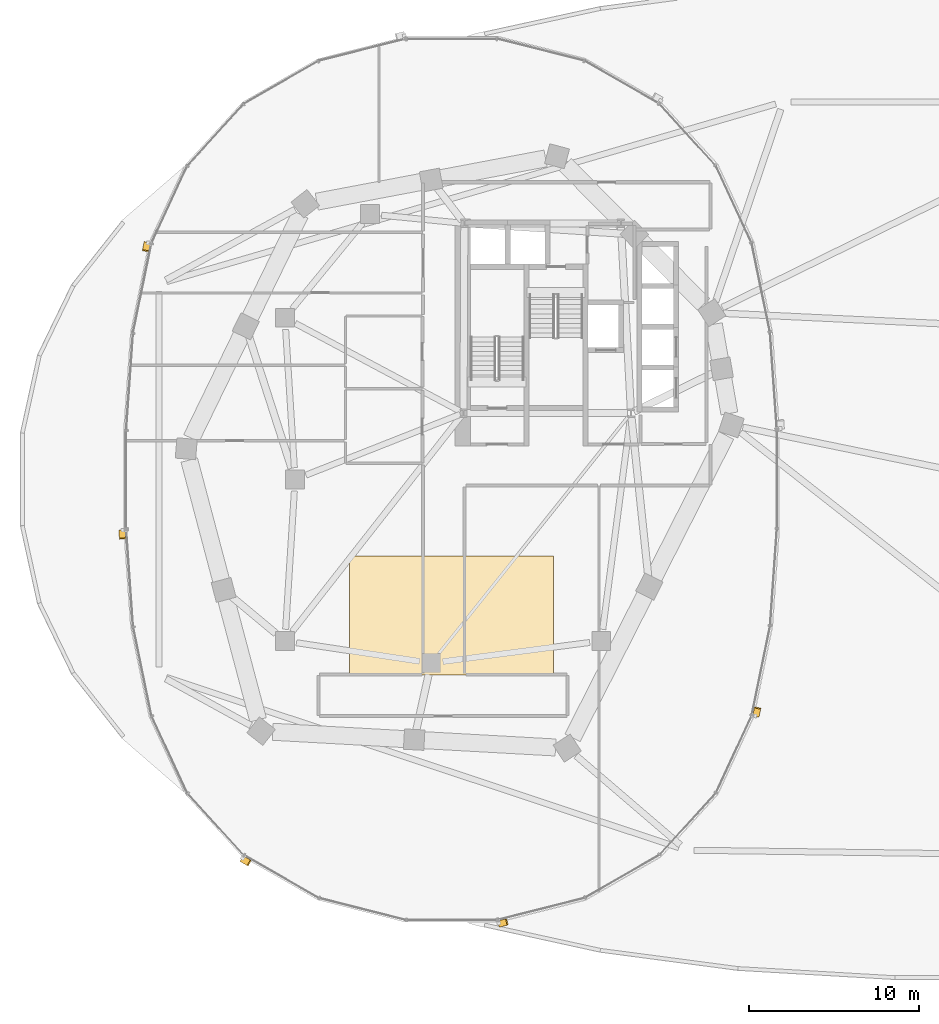
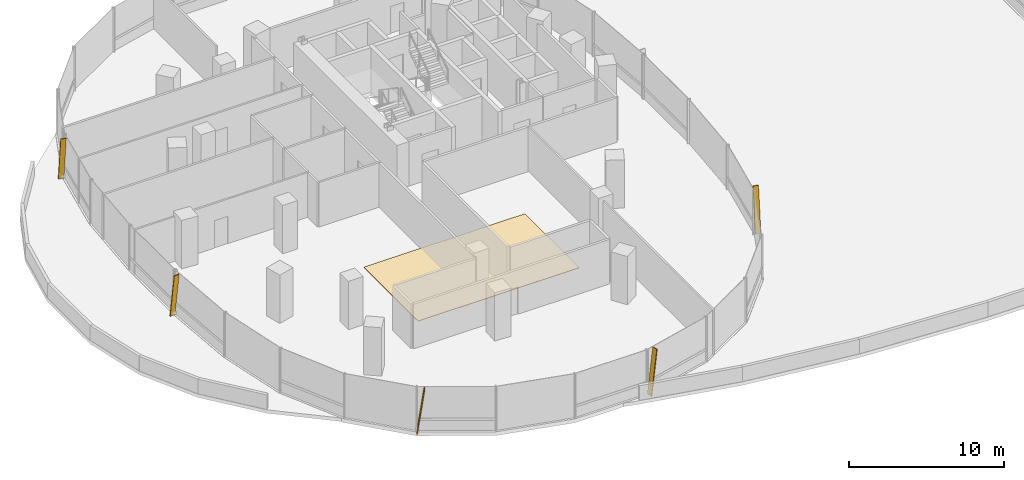
# One storey, part 25 of 28: 5 shading devices, 1 covering.
"""IFC4 building model written with IfcOpenShell, lengths in metres."""

from ifc_helpers import new_model, si_unit, direction, frame, origin, origin_2d, place, context, subcontext, project, spatial, polyline, rectangle, outline, extrude, material, layer, layer_set, material_profile, profile_set, type_object, element, save


model = new_model("IFC4")

# Units and contexts
model_context = context("Model", 3, precision=1e-05, world=origin(), true_north=direction((0.0, 1.0)))
body_context = subcontext(model_context, "Body", "Model", "MODEL_VIEW")
ifc_project = project(units=[si_unit("LENGTHUNIT", "METRE"), si_unit("AREAUNIT", "SQUARE_METRE"), si_unit("VOLUMEUNIT", "CUBIC_METRE"), si_unit("PLANEANGLEUNIT", "RADIAN"), si_unit("MASSUNIT", "GRAM", prefix="KILO"), si_unit("THERMODYNAMICTEMPERATUREUNIT", "KELVIN"), si_unit("POWERUNIT", "WATT")], contexts=[model_context])

# Site, building, storey
site_placement = place(None, origin())
site = spatial("IfcSite", under=ifc_project, at=site_placement, CompositionType="ELEMENT")
building_placement = place(site_placement, origin())
building = spatial("IfcBuilding", under=site, at=building_placement, Name="Cundina Bronze Exchange", CompositionType="ELEMENT")
storey_placement = place(building_placement, frame((0.0, 0.0, 24.0)))
storey = spatial("IfcBuildingStorey", under=building, at=storey_placement, Name="L05", CompositionType="ELEMENT", Elevation=24.0)

# Covering
ifc_material_1 = material(Name="Raised Access Steel-Cementitious Floor Panel 40mm", Category="steel")
ifc_layer = layer(ifc_material_1, 0.0400390625, Name="Raised Access Steel-Cementitious Floor Panel 40mm", Category="steel")
ifc_layer_set = layer_set([ifc_layer], Name="Raised Access Steel-Cementitious Floor Panel 40mm")
covering_type = type_object("IfcCoveringType", Name="COV-FLR-RAF40", PredefinedType="FLOORING", material=ifc_layer_set)
covering_placement = place(storey_placement, origin())
element("IfcCovering", 1, at=covering_placement, inside=storey, type_object=covering_type, Name="L05 W UFAD Raised Access Trading Floor", PredefinedType="FLOORING", context=body_context, shape_type="SweptSolid", body=[
    extrude(outline(polyline([(-38.0, -11.5), (-26.0, -11.5), (-26.0, -4.5), (-38.0, -4.5), (-38.0, -11.5)])), origin(), (0.0, 0.0, 1.0), 0.0400390625),
])

# Shading devices
ifc_material_2 = material(Name="Anodised Bronze Aluminium 6063-T6", Category="aluminium")
ifc_material_profile = material_profile(ifc_material_2, rectangle(XDim=0.070068359375, YDim=0.3798828125, at=origin_2d()), Name="FIN70X380", Category="aluminium")
ifc_profile_set = profile_set([ifc_material_profile], Name="Anodised Bronze Aluminium 6063-T6")
shading_device_type = type_object("IfcShadingDeviceType", Name="SHD-FIN-BRZ380", PredefinedType="USERDEFINED", material=ifc_profile_set)
for number, where, z_axis, x_axis, name in (
    (2, (-49.89599609375, 13.911865234375, 0.02001953125), (-0.027747134956, -0.134612045151, 0.990509815096), (0.199966585563, 0.970114971774, 0.137442010309), "L05 Diagonal Bronze Solar Fin 5"),
    (3, (-51.3740234375, -2.993896484375, 0.02001953125), (0.009645159174, -0.137059109714, 0.990515911709), (-0.06953288269, 0.988072340253, 0.137398066402), "L05 Diagonal Bronze Solar Fin 1"),
    (4, (-44.314208984375, -22.314208984375, 0.02001953125), (0.119166378275, -0.06842456559, 0.990513731915), (-0.85898178632, 0.493221799887, 0.137413779831), "L05 Diagonal Bronze Solar Fin 5"),
    (5, (-29.212646484375, -26.138427734375, 0.02001953125), (0.133214830938, 0.033688115694, 0.990514472221), (-0.960284642503, -0.242842181368, 0.137408443412), "L05 Diagonal Bronze Solar Fin 1"),
    (6, (-14.10400390625, -13.911865234375, 0.02001953125), (0.027747134956, 0.134612045151, 0.990509815096), (-0.199966585563, -0.970114971774, 0.137442010309), "L05 Diagonal Bronze Solar Fin 5"),
):
    element("IfcShadingDevice", number, at=place(storey_placement, frame(where, z_axis=z_axis, x_axis=x_axis)), inside=storey, type_object=shading_device_type, Name=name, ObjectType="FIN", PredefinedType="USERDEFINED", context=body_context, shape_type="SweptSolid", body=[
        extrude(rectangle(XDim=0.070068359375, YDim=0.3798828125, at=origin_2d()), origin(), (0.0, 0.0, 1.0), 3.4931640625),
    ])

save(model, "model.ifc")
